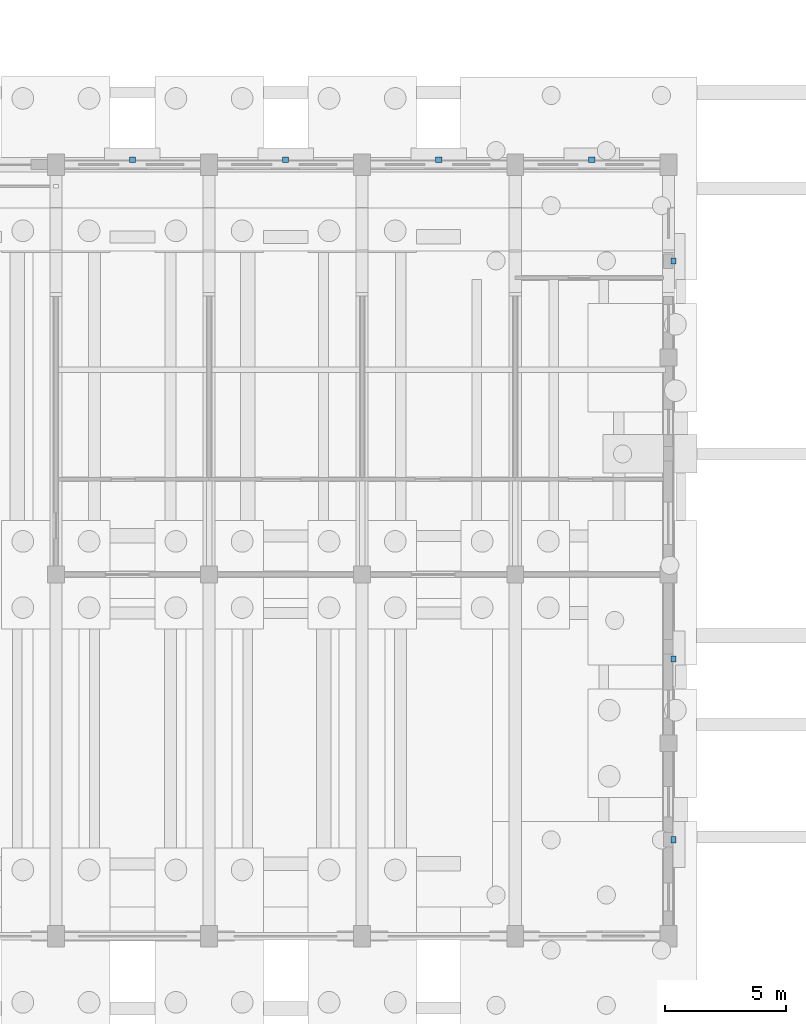
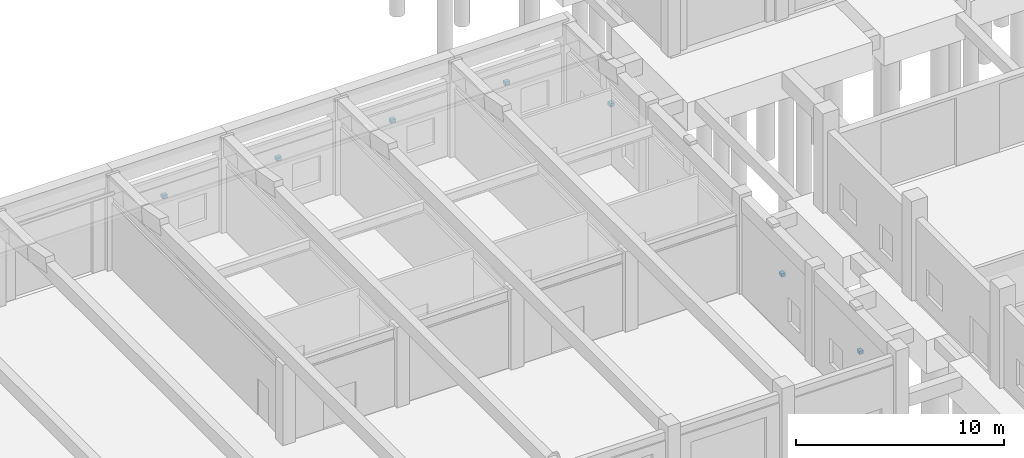
# One storey, part 48 of 60: 7 discrete accessories.
"""IFC4 building model written with IfcOpenShell, lengths in metres."""

from ifc_helpers import new_model, si_unit, direction, frame, origin, origin_2d, place, context, subcontext, project, spatial, rectangle, extrude, material, type_object, element, save


model = new_model("IFC4")

# Units and contexts
model_context = context("Model", 3, precision=1e-05, world=origin(), true_north=direction((0.0, 1.0)))
body_context = subcontext(model_context, "Body", "Model", "MODEL_VIEW")
ifc_project = project(units=[si_unit("LENGTHUNIT", "METRE"), si_unit("AREAUNIT", "SQUARE_METRE"), si_unit("VOLUMEUNIT", "CUBIC_METRE"), si_unit("PLANEANGLEUNIT", "RADIAN"), si_unit("MASSUNIT", "GRAM", prefix="KILO")], contexts=[model_context])

# Site, building, storey
site_placement = place(None, origin())
site = spatial("IfcSite", under=ifc_project, at=site_placement, CompositionType="ELEMENT")
building_placement = place(site_placement, origin())
building = spatial("IfcBuilding", under=site, at=building_placement, Name="Trellovar Central Fire Station", CompositionType="ELEMENT")
storey_placement = place(building_placement, origin())
storey = spatial("IfcBuildingStorey", under=building, at=storey_placement, Name="L01", CompositionType="ELEMENT", Elevation=0.0)

# Discrete accessories
ifc_material = material(Name="Patina bronze wrought metalwork", Category="metal")
discrete_accessory_type = type_object("IfcDiscreteAccessoryType", Name="ACC-BRK1", PredefinedType="BRACKET", material=ifc_material)
for number, where, z_axis, x_axis, name in (
    (1, (76.27490234375, 46.199951171875, 2.75), (0.0, 0.0, 1.0), (1.0, 0.0, 0.0), "L01 bronze shade mounting bracket 8"),
    (2, (82.625, 46.199951171875, 2.75), (0.0, 0.0, 1.0), (1.0, 0.0, 0.0), "L01 bronze shade mounting bracket 10"),
    (3, (88.97509765625, 46.199951171875, 2.75), (0.0, 0.0, 1.0), (1.0, 0.0, 0.0), "L01 bronze shade mounting bracket 12"),
    (4, (95.324951171875, 46.199951171875, 2.75), (0.0, 0.0, 1.0), (1.0, 0.0, 0.0), "L01 bronze shade mounting bracket 14"),
    (5, (98.7099609375, 18.0, 2.85009765625), (0.0, 0.0, 1.0), (0.0, 1.0, 0.0), "L01 bronze shade mounting bracket 19"),
    (6, (98.7099609375, 25.5, 2.85009765625), (0.0, 0.0, 1.0), (0.0, 1.0, 0.0), "L01 bronze shade mounting bracket 20"),
    (7, (98.7099609375, 42.0, 2.85009765625), (0.0, 0.0, 1.0), (0.0, 1.0, 0.0), "L01 bronze shade mounting bracket 21"),
):
    element("IfcDiscreteAccessory", number, at=place(storey_placement, frame(where, z_axis=z_axis, x_axis=x_axis)), inside=storey, type_object=discrete_accessory_type, Name=name, PredefinedType="BRACKET", context=body_context, shape_type="SweptSolid", body=[
        extrude(rectangle(XDim=0.260009765625, YDim=0.219970703125, at=origin_2d()), origin(), (0.0, 0.0, 1.0), 0.199951171875),
    ])

save(model, "model.ifc")
